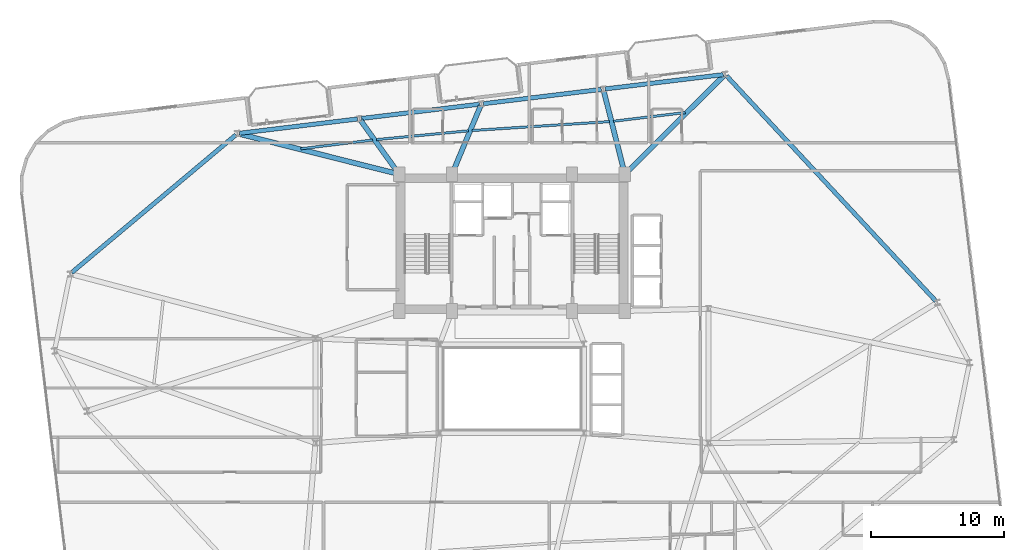
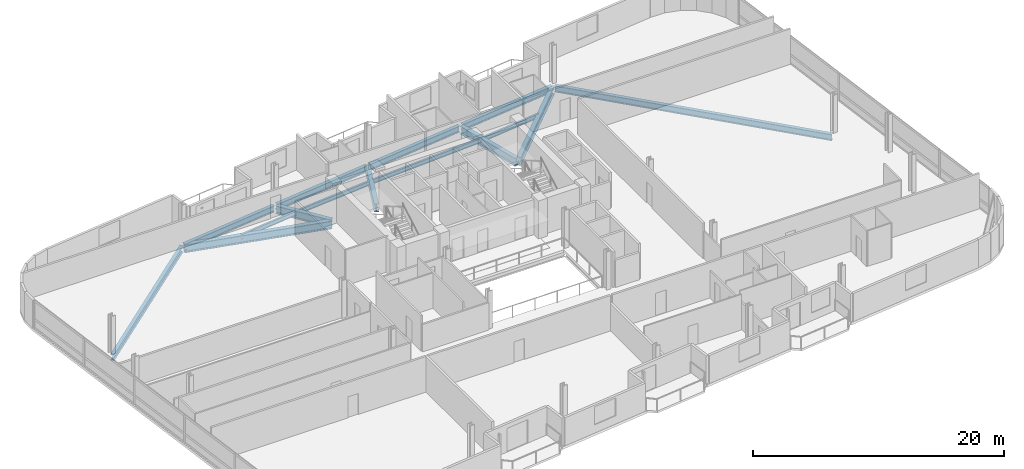
# One storey, part 9 of 23: 15 beams.
"""IFC4 building model written with IfcOpenShell, lengths in metres."""

from ifc_helpers import new_model, si_unit, direction, frame, origin, origin_2d, place, context, subcontext, project, spatial, i_section, extrude, material, material_profile, profile_set, type_object, element, save


model = new_model("IFC4")

# Units and contexts
model_context = context("Model", 3, precision=1e-05, world=origin(), true_north=direction((0.0, 1.0)))
body_context = subcontext(model_context, "Body", "Model", "MODEL_VIEW")
ifc_project = project(units=[si_unit("LENGTHUNIT", "METRE"), si_unit("AREAUNIT", "SQUARE_METRE"), si_unit("VOLUMEUNIT", "CUBIC_METRE"), si_unit("PLANEANGLEUNIT", "RADIAN"), si_unit("MASSUNIT", "GRAM", prefix="KILO")], contexts=[model_context])

# Site, building, storey
site_placement = place(None, origin())
site = spatial("IfcSite", under=ifc_project, at=site_placement, CompositionType="ELEMENT")
building_placement = place(site_placement, origin())
building = spatial("IfcBuilding", under=site, at=building_placement, Name="Varnelok Gate Tower", CompositionType="ELEMENT")
storey_placement = place(building_placement, frame((0.0, 0.0, 182.0)))
storey = spatial("IfcBuildingStorey", under=building, at=storey_placement, Name="L46", CompositionType="ELEMENT", Elevation=182.0)

# Beams
ifc_material = material(Name="Structural Steel ASTM A992 Grade 50", Category="steel")
ifc_material_profile_1 = material_profile(ifc_material, i_section(OverallWidth=0.180908203125, OverallDepth=0.4169921875, WebThickness=0.010986328125, FlangeThickness=0.018310546875, FilletRadius=0.013916015625, at=origin_2d()), Name="W16X57")
ifc_profile_set_1 = profile_set([ifc_material_profile_1], Name="Structural Steel ASTM A992 Grade 50")
beam_type_1 = type_object("IfcBeamType", Name="BM-JST-W16X57", PredefinedType="JOIST", material=ifc_profile_set_1)
beam_1_placement = place(storey_placement, frame((52.24658203125, 43.693603515625, -0.45849609375), z_axis=(-0.992731675719, -0.120348743339, 0.0), x_axis=(0.120348743339, -0.992731675719, 0.0)))
element("IfcBeam", 1, at=beam_1_placement, inside=storey, type_object=beam_type_1, Name="L46 Sector Floor Joist 7", PredefinedType="JOIST", context=body_context, shape_type="SweptSolid", body=[
    extrude(i_section(OverallWidth=0.180908203125, OverallDepth=0.4169921875, WebThickness=0.010986328125, FlangeThickness=0.018310546875, FilletRadius=0.013916015625, at=origin_2d()), origin(), (0.0, 0.0, 1.0), 5.454833984375),
])
beam_2_placement = place(storey_placement, frame((46.552490234375, 43.01123046875, -0.45849609375), z_axis=(-0.997902783228, -0.064730481427, 0.0), x_axis=(0.064730481427, -0.997902783228, 0.0)))
element("IfcBeam", 2, at=beam_2_placement, inside=storey, type_object=beam_type_1, Name="L46 Sector Floor Joist 8", PredefinedType="JOIST", context=body_context, shape_type="SweptSolid", body=[
    extrude(i_section(OverallWidth=0.180908203125, OverallDepth=0.4169921875, WebThickness=0.010986328125, FlangeThickness=0.018310546875, FilletRadius=0.013916015625, at=origin_2d()), origin(), (0.0, 0.0, 1.0), 10.38330078125),
])
beam_3_placement = place(storey_placement, frame((35.912109375, 42.31689453125, -0.45849609375), z_axis=(-0.995443289549, -0.095355426129, 0.0), x_axis=(0.095355426129, -0.995443289549, 0.0)))
element("IfcBeam", 3, at=beam_3_placement, inside=storey, type_object=beam_type_1, Name="L46 Sector Floor Joist 9", PredefinedType="JOIST", context=body_context, shape_type="SweptSolid", body=[
    extrude(i_section(OverallWidth=0.180908203125, OverallDepth=0.4169921875, WebThickness=0.010986328125, FlangeThickness=0.018310546875, FilletRadius=0.013916015625, at=origin_2d()), origin(), (0.0, 0.0, 1.0), 6.958984375),
])
beam_4_placement = place(storey_placement, frame((28.70654296875, 41.623046875, -0.45849609375), z_axis=(-0.992737021941, -0.120304635272, 0.0), x_axis=(0.120304635272, -0.992737021941, 0.0)))
element("IfcBeam", 4, at=beam_4_placement, inside=storey, type_object=beam_type_1, Name="L46 Sector Floor Joist 10", PredefinedType="JOIST", context=body_context, shape_type="SweptSolid", body=[
    extrude(i_section(OverallWidth=0.180908203125, OverallDepth=0.4169921875, WebThickness=0.010986328125, FlangeThickness=0.018310546875, FilletRadius=0.013916015625, at=origin_2d()), origin(), (0.0, 0.0, 1.0), 5.454833984375),
])
ifc_material_profile_2 = material_profile(ifc_material, i_section(OverallWidth=0.381103515625, OverallDepth=0.77294921875, WebThickness=0.0166015625, FlangeThickness=0.027099609375, FilletRadius=0.02197265625, at=origin_2d()), Name="W30X173")
ifc_profile_set_2 = profile_set([ifc_material_profile_2], Name="Structural Steel ASTM A992 Grade 50")
beam_type_2 = type_object("IfcBeamType", Name="BM-PRI-W30X173", PredefinedType="BEAM", material=ifc_profile_set_2)
beam_5_placement = place(storey_placement, frame((47.806396484375, 39.15576171875, -0.636474609375), z_axis=(0.708989690383, 0.705218844707, 0.0), x_axis=(-0.705218844707, 0.708989690383, 0.0)))
element("IfcBeam", 5, at=beam_5_placement, inside=storey, type_object=beam_type_2, Name="L46 Radial Floor Girder 9", PredefinedType="BEAM", context=body_context, shape_type="SweptSolid", body=[
    extrude(i_section(OverallWidth=0.381103515625, OverallDepth=0.77294921875, WebThickness=0.0166015625, FlangeThickness=0.027099609375, FilletRadius=0.02197265625, at=origin_2d()), origin(), (0.0, 0.0, 1.0), 10.359130859375),
])
beam_6_placement = place(storey_placement, frame((47.6630859375, 39.1953125, -0.636474609375), z_axis=(-0.246004343354, 0.969268725922, 0.0), x_axis=(-0.969268725922, -0.246004343354, 0.0)))
element("IfcBeam", 6, at=beam_6_placement, inside=storey, type_object=beam_type_2, Name="L46 Radial Floor Girder 10", PredefinedType="BEAM", context=body_context, shape_type="SweptSolid", body=[
    extrude(i_section(OverallWidth=0.381103515625, OverallDepth=0.77294921875, WebThickness=0.0166015625, FlangeThickness=0.027099609375, FilletRadius=0.02197265625, at=origin_2d()), origin(), (0.0, 0.0, 1.0), 6.306884765625),
])
beam_7_placement = place(storey_placement, frame((34.73779296875, 39.1884765625, -0.636474609375), z_axis=(0.38573799398, 0.922608367619, 0.0), x_axis=(-0.922608367619, 0.38573799398, 0.0)))
element("IfcBeam", 7, at=beam_7_placement, inside=storey, type_object=beam_type_2, Name="L46 Radial Floor Girder 11", PredefinedType="BEAM", context=body_context, shape_type="SweptSolid", body=[
    extrude(i_section(OverallWidth=0.381103515625, OverallDepth=0.77294921875, WebThickness=0.0166015625, FlangeThickness=0.027099609375, FilletRadius=0.02197265625, at=origin_2d()), origin(), (0.0, 0.0, 1.0), 5.434326171875),
])
beam_8_placement = place(storey_placement, frame((30.61279296875, 39.172119140625, -0.636474609375), z_axis=(-0.582178250272, 0.81306118153, 0.0), x_axis=(-0.81306118153, -0.582178250272, 0.0)))
element("IfcBeam", 8, at=beam_8_placement, inside=storey, type_object=beam_type_2, Name="L46 Radial Floor Girder 12", PredefinedType="BEAM", context=body_context, shape_type="SweptSolid", body=[
    extrude(i_section(OverallWidth=0.381103515625, OverallDepth=0.77294921875, WebThickness=0.0166015625, FlangeThickness=0.027099609375, FilletRadius=0.02197265625, at=origin_2d()), origin(), (0.0, 0.0, 1.0), 4.837646484375),
])
beam_9_placement = place(storey_placement, frame((30.554443359375, 39.086669921875, -0.636474609375), z_axis=(-0.969752143123, 0.244091746906, 0.0), x_axis=(-0.244091746906, -0.969752143123, 0.0)))
element("IfcBeam", 9, at=beam_9_placement, inside=storey, type_object=beam_type_2, Name="L46 Radial Floor Girder 13", PredefinedType="BEAM", context=body_context, shape_type="SweptSolid", body=[
    extrude(i_section(OverallWidth=0.381103515625, OverallDepth=0.77294921875, WebThickness=0.0166015625, FlangeThickness=0.027099609375, FilletRadius=0.02197265625, at=origin_2d()), origin(), (0.0, 0.0, 1.0), 12.25341796875),
])
ifc_material_profile_3 = material_profile(ifc_material, i_section(OverallWidth=0.323974609375, OverallDepth=0.611083984375, WebThickness=0.0126953125, FlangeThickness=0.01904296875, FilletRadius=0.01806640625, at=origin_2d()), Name="W24X104")
ifc_profile_set_3 = profile_set([ifc_material_profile_3], Name="Structural Steel ASTM A992 Grade 50")
beam_type_3 = type_object("IfcBeamType", Name="BM-SPN-W24X104", PredefinedType="SPANDREL", material=ifc_profile_set_3)
beam_10_placement = place(storey_placement, frame((71.123291015625, 29.49365234375, -0.555419921875), z_axis=(-0.680734113922, 0.732530590585, 0.0), x_axis=(-0.732530590585, -0.680734113922, 0.0)))
element("IfcBeam", 10, at=beam_10_placement, inside=storey, type_object=beam_type_3, Name="L46 Perimeter Spandrel Beam 8", PredefinedType="SPANDREL", context=body_context, shape_type="SweptSolid", body=[
    extrude(i_section(OverallWidth=0.323974609375, OverallDepth=0.611083984375, WebThickness=0.0126953125, FlangeThickness=0.01904296875, FilletRadius=0.01806640625, at=origin_2d()), origin(), (0.0, 0.0, 1.0), 23.1572265625),
])
for number, where, z_axis, x_axis, name in (
    (11, (55.1083984375, 46.548828125, -0.555419921875), (-0.992734670707, -0.120324035735, 0.0), (0.120324035735, -0.992734670707, 0.0), "L46 Perimeter Spandrel Beam 9"),
    (12, (45.92578125, 45.435791015625, -0.555419921875), (-0.99273141198, -0.120350918849, 0.0), (0.120350918849, -0.99273141198, 0.0), "L46 Perimeter Spandrel Beam 10"),
    (13, (36.742919921875, 44.322509765625, -0.555419921875), (-0.992734670707, -0.120324035735, 0.0), (0.120324035735, -0.992734670707, 0.0), "L46 Perimeter Spandrel Beam 11"),
    (14, (27.56005859375, 43.209228515625, -0.555419921875), (-0.992734670707, -0.120324035735, 0.0), (0.120324035735, -0.992734670707, 0.0), "L46 Perimeter Spandrel Beam 12"),
):
    element("IfcBeam", number, at=place(storey_placement, frame(where, z_axis=z_axis, x_axis=x_axis)), inside=storey, type_object=beam_type_3, Name=name, PredefinedType="SPANDREL", context=body_context, shape_type="SweptSolid", body=[
        extrude(i_section(OverallWidth=0.323974609375, OverallDepth=0.611083984375, WebThickness=0.0126953125, FlangeThickness=0.01904296875, FilletRadius=0.01806640625, at=origin_2d()), origin(), (0.0, 0.0, 1.0), 8.949951171875),
    ])
beam_11_placement = place(storey_placement, frame((18.411376953125, 42.017822265625, -0.555419921875), z_axis=(-0.766099582792, -0.642721891059, 0.0), x_axis=(0.642721891059, -0.766099582792, 0.0)))
element("IfcBeam", 15, at=beam_11_placement, inside=storey, type_object=beam_type_3, Name="L46 Perimeter Spandrel Beam 13", PredefinedType="SPANDREL", context=body_context, shape_type="SweptSolid", body=[
    extrude(i_section(OverallWidth=0.323974609375, OverallDepth=0.611083984375, WebThickness=0.0126953125, FlangeThickness=0.01904296875, FilletRadius=0.01806640625, at=origin_2d()), origin(), (0.0, 0.0, 1.0), 16.151123046875),
])

save(model, "model.ifc")
